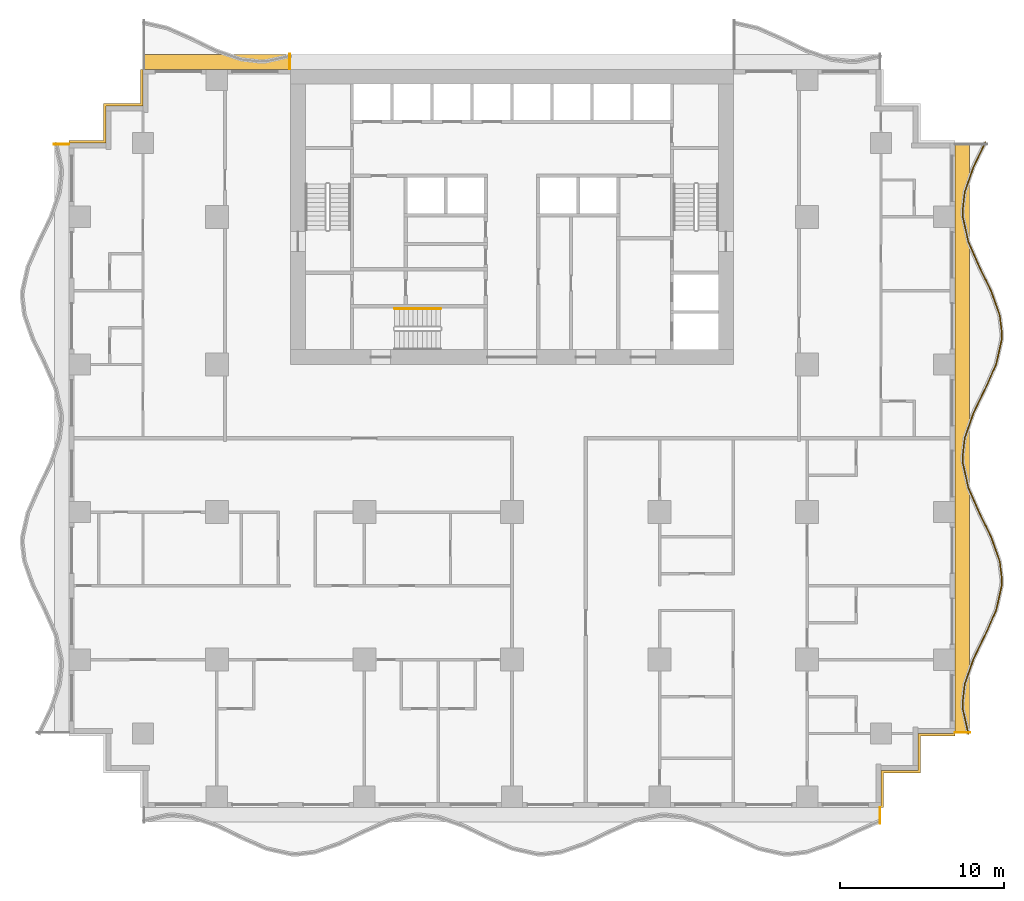
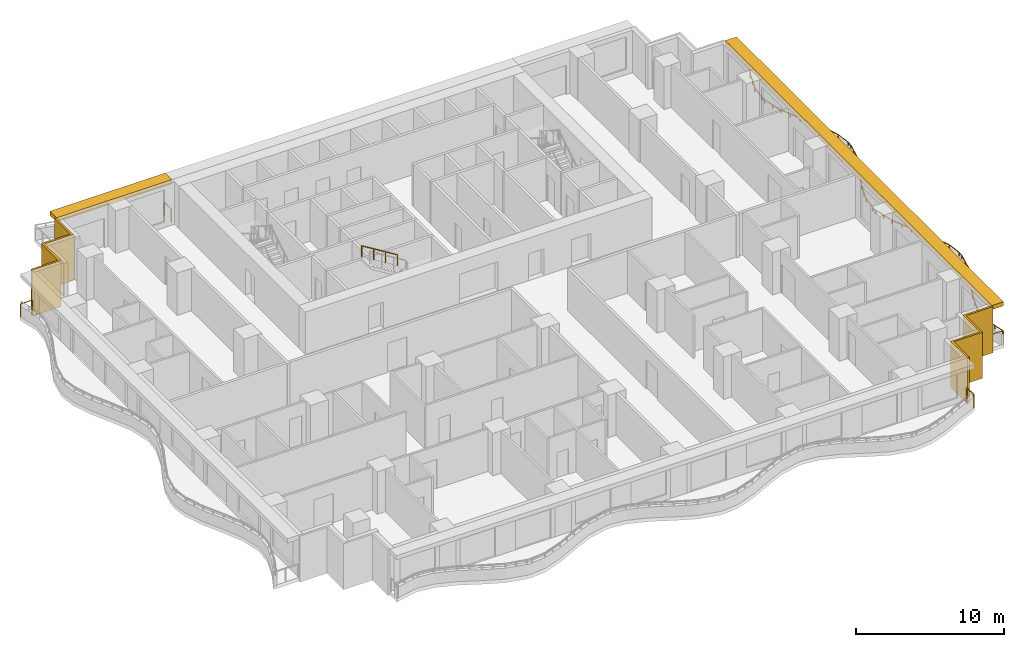
# One storey, part 10 of 13: 6 railings, 4 shading devices.
"""IFC4 building model written with IfcOpenShell, lengths in metres."""

from ifc_helpers import new_model, si_unit, direction, frame, origin, origin_2d, place, context, subcontext, project, spatial, polyline, rectangle, circle, outline, extrude, material, layer, layer_set, type_object, element, save


model = new_model("IFC4")

# Units and contexts
model_context = context("Model", 3, precision=1e-05, world=origin(), true_north=direction((0.0, 1.0)))
body_context = subcontext(model_context, "Body", "Model", "MODEL_VIEW")
ifc_project = project(units=[si_unit("LENGTHUNIT", "METRE"), si_unit("AREAUNIT", "SQUARE_METRE"), si_unit("VOLUMEUNIT", "CUBIC_METRE"), si_unit("PLANEANGLEUNIT", "RADIAN"), si_unit("MASSUNIT", "GRAM", prefix="KILO")], contexts=[model_context])

# Site, building, storey
site_placement = place(None, origin())
site = spatial("IfcSite", under=ifc_project, at=site_placement, CompositionType="ELEMENT")
building_placement = place(site_placement, origin())
building = spatial("IfcBuilding", under=site, at=building_placement, Name="Orbiselva Terraces", CompositionType="ELEMENT")
storey_placement = place(building_placement, frame((0.0, 0.0, 96.0)))
storey = spatial("IfcBuildingStorey", under=building, at=storey_placement, Name="L24", CompositionType="ELEMENT", Elevation=96.0)

# Railings
ifc_material_1 = material(Name="Stainless steel", Category="steel")
railing_type_1 = type_object("IfcRailingType", Name="CORE-HANDRAIL-900", PredefinedType="HANDRAIL", material=ifc_material_1)
railing_1_placement = place(storey_placement, frame((-4.35, 7.9, 2.072727)))
element("IfcRailing", 1, at=railing_1_placement, inside=storey, type_object=railing_type_1, Name="L24 S3 stair handrail 2", PredefinedType="HANDRAIL", context=body_context, shape_type="SweptSolid", body=[
    extrude(circle(Radius=0.024, at=origin_2d()), frame((0.0, 0.0, 0.876), z_axis=(-0.851088519012, 0.0, 0.52502222125), x_axis=(0.0, -1.0, 0.0)), (0.0, 0.0, 1.0), 3.289905),
    extrude(circle(Radius=0.021, at=origin_2d()), origin(), (0.0, 0.0, 1.0), 0.852),
    extrude(circle(Radius=0.021, at=origin_2d()), frame((-0.933333, 0.0, 0.575758)), (0.0, 0.0, 1.0), 0.852),
    extrude(circle(Radius=0.021, at=origin_2d()), frame((-1.866667, 0.0, 1.151515)), (0.0, 0.0, 1.0), 0.852),
    extrude(circle(Radius=0.021, at=origin_2d()), frame((-2.8, 0.0, 1.727273)), (0.0, 0.0, 1.0), 0.852),
])
ifc_material_2 = material(Name="Bonded two-ply safety glass balustrade, stainless steel posts", Category="steel")
railing_type_2 = type_object("IfcRailingType", Name="ENV-BALUSTRADE-1200", PredefinedType="BALUSTRADE", material=ifc_material_2)
railing_2_placement = place(storey_placement, frame((27.829507, -18.027377, 0.9)))
element("IfcRailing", 2, at=railing_2_placement, inside=storey, type_object=railing_type_2, Name="Balcony balustrade L24 E", PredefinedType="BALUSTRADE", context=body_context, shape_type="SweptSolid", body=[
    extrude(outline(polyline([(0.028868, 0.0), (0.014434, 0.025), (-0.014434, 0.025), (-0.028868, 0.0), (-0.014434, -0.025), (0.014434, -0.025), (0.028868, 0.0)])), frame((0.0, 0.0, 0.275), z_axis=(-0.219015484484, 0.97572138316, 0.0), x_axis=(-0.97572138316, -0.219015484484, 0.0)), (0.0, 0.0, 1.0), 1.548694),
    extrude(outline(polyline([(0.028868, 0.0), (0.014434, 0.025), (-0.014434, 0.025), (-0.028868, 0.0), (-0.014434, -0.025), (0.014434, -0.025), (0.028868, 0.0)])), frame((-0.339188, 1.511094, 0.275), z_axis=(-0.03936915532, 0.999224734286, 0.0), x_axis=(-0.999224734286, -0.03936915532, 0.0)), (0.0, 0.0, 1.0), 0.396376),
    extrude(outline(polyline([(0.028868, 0.0), (0.014434, 0.025), (-0.014434, 0.025), (-0.028868, 0.0), (-0.014434, -0.025), (0.014434, -0.025), (0.028868, 0.0)])), frame((-0.354793, 1.907163, 0.275), z_axis=(0.115482182324, 0.993309551734, 0.0), x_axis=(-0.993309551734, 0.115482182324, 0.0)), (0.0, 0.0, 1.0), 1.156135),
    extrude(outline(polyline([(0.028868, 0.0), (0.014434, 0.025), (-0.014434, 0.025), (-0.028868, 0.0), (-0.014434, -0.025), (0.014434, -0.025), (0.028868, 0.0)])), frame((-0.22128, 3.055563, 0.275), z_axis=(0.330024597479, 0.943972332783, 0.0), x_axis=(-0.943972332783, 0.330024597479, 0.0)), (0.0, 0.0, 1.0), 1.610253),
    extrude(outline(polyline([(0.028868, 0.0), (0.014434, 0.025), (-0.014434, 0.025), (-0.028868, 0.0), (-0.014434, -0.025), (0.014434, -0.025), (0.028868, 0.0)])), frame((0.310143, 4.575597, 0.275), z_axis=(0.438812048596, 0.898578870221, 0.0), x_axis=(-0.898578870221, 0.438812048596, 0.0)), (0.0, 0.0, 1.0), 1.674225),
    extrude(outline(polyline([(0.028868, 0.0), (0.014434, 0.025), (-0.014434, 0.025), (-0.028868, 0.0), (-0.014434, -0.025), (0.014434, -0.025), (0.028868, 0.0)])), frame((1.044813, 6.08002, 0.275), z_axis=(0.403151245402, 0.915133363686, 0.0), x_axis=(-0.915133363686, 0.403151245402, 0.0)), (0.0, 0.0, 1.0), 1.624475),
    extrude(outline(polyline([(0.028868, 0.0), (0.014434, 0.025), (-0.014434, 0.025), (-0.028868, 0.0), (-0.014434, -0.025), (0.014434, -0.025), (0.028868, 0.0)])), frame((1.699722, 7.566631, 0.275), z_axis=(0.219015740235, 0.975721325753, 0.0), x_axis=(-0.975721325753, 0.219015740235, 0.0)), (0.0, 0.0, 1.0), 1.513782),
    extrude(outline(polyline([(0.028868, 0.0), (0.014434, 0.025), (-0.014434, 0.025), (-0.028868, 0.0), (-0.014434, -0.025), (0.014434, -0.025), (0.028868, 0.0)])), frame((2.031264, 9.04366, 0.275), z_axis=(0.039364150694, 0.999224931454, 0.0), x_axis=(-0.999224931454, 0.039364150694, 0.0)), (0.0, 0.0, 1.0), 0.354206),
    extrude(outline(polyline([(0.028868, 0.0), (0.014434, 0.025), (-0.014434, 0.025), (-0.028868, 0.0), (-0.014434, -0.025), (0.014434, -0.025), (0.028868, 0.0)])), frame((2.045207, 9.397591, 0.275), z_axis=(-0.115481264762, 0.993309658409, 0.0), x_axis=(-0.993309658409, -0.115481264762, 0.0)), (0.0, 0.0, 1.0), 1.10902),
    extrude(outline(polyline([(0.028868, 0.0), (0.014434, 0.025), (-0.014434, 0.025), (-0.028868, 0.0), (-0.014434, -0.025), (0.014434, -0.025), (0.028868, 0.0)])), frame((1.917136, 10.499191, 0.275), z_axis=(-0.330024754707, 0.943972277814, 0.0), x_axis=(-0.943972277814, -0.330024754707, 0.0)), (0.0, 0.0, 1.0), 1.567807),
    extrude(outline(polyline([(0.028868, 0.0), (0.014434, 0.025), (-0.014434, 0.025), (-0.028868, 0.0), (-0.014434, -0.025), (0.014434, -0.025), (0.028868, 0.0)])), frame((1.399721, 11.979157, 0.275), z_axis=(-0.438811978768, 0.89857890432, 0.0), x_axis=(-0.89857890432, -0.438811978768, 0.0)), (0.0, 0.0, 1.0), 1.66438),
    extrude(outline(polyline([(0.028868, 0.0), (0.014434, 0.025), (-0.014434, 0.025), (-0.028868, 0.0), (-0.014434, -0.025), (0.014434, -0.025), (0.028868, 0.0)])), frame((0.669371, 13.474734, 0.275), z_axis=(-0.403150874148, 0.915133527237, 0.0), x_axis=(-0.915133527237, -0.403150874148, 0.0)), (0.0, 0.0, 1.0), 1.653736),
    extrude(outline(polyline([(0.028868, 0.0), (0.014434, 0.025), (-0.014434, 0.025), (-0.028868, 0.0), (-0.014434, -0.025), (0.014434, -0.025), (0.028868, 0.0)])), frame((0.002666, 14.988123, 0.275), z_axis=(-0.219015500924, 0.97572137947, 0.0), x_axis=(-0.97572137947, -0.219015500924, 0.0)), (0.0, 0.0, 1.0), 1.560867),
    extrude(outline(polyline([(0.028868, 0.0), (0.014434, 0.025), (-0.014434, 0.025), (-0.028868, 0.0), (-0.014434, -0.025), (0.014434, -0.025), (0.028868, 0.0)])), frame((-0.339188, 16.511094, 0.275), z_axis=(-0.03936915532, 0.999224734286, 0.0), x_axis=(-0.999224734286, -0.03936915532, 0.0)), (0.0, 0.0, 1.0), 0.396376),
    extrude(outline(polyline([(0.028868, 0.0), (0.014434, 0.025), (-0.014434, 0.025), (-0.028868, 0.0), (-0.014434, -0.025), (0.014434, -0.025), (0.028868, 0.0)])), frame((-0.354793, 16.907163, 0.275), z_axis=(0.115482182324, 0.993309551734, 0.0), x_axis=(-0.993309551734, 0.115482182324, 0.0)), (0.0, 0.0, 1.0), 1.156135),
    extrude(outline(polyline([(0.028868, 0.0), (0.014434, 0.025), (-0.014434, 0.025), (-0.028868, 0.0), (-0.014434, -0.025), (0.014434, -0.025), (0.028868, 0.0)])), frame((-0.22128, 18.055563, 0.275), z_axis=(0.330024597479, 0.943972332783, 0.0), x_axis=(-0.943972332783, 0.330024597479, 0.0)), (0.0, 0.0, 1.0), 1.610253),
    extrude(outline(polyline([(0.028868, 0.0), (0.014434, 0.025), (-0.014434, 0.025), (-0.028868, 0.0), (-0.014434, -0.025), (0.014434, -0.025), (0.028868, 0.0)])), frame((0.310143, 19.575597, 0.275), z_axis=(0.438812048596, 0.898578870221, 0.0), x_axis=(-0.898578870221, 0.438812048596, 0.0)), (0.0, 0.0, 1.0), 1.674225),
    extrude(outline(polyline([(0.028868, 0.0), (0.014434, 0.025), (-0.014434, 0.025), (-0.028868, 0.0), (-0.014434, -0.025), (0.014434, -0.025), (0.028868, 0.0)])), frame((1.044813, 21.08002, 0.275), z_axis=(0.403151245402, 0.915133363686, 0.0), x_axis=(-0.915133363686, 0.403151245402, 0.0)), (0.0, 0.0, 1.0), 1.624475),
    extrude(outline(polyline([(0.028868, 0.0), (0.014434, 0.025), (-0.014434, 0.025), (-0.028868, 0.0), (-0.014434, -0.025), (0.014434, -0.025), (0.028868, 0.0)])), frame((1.699722, 22.566631, 0.275), z_axis=(0.219015740235, 0.975721325753, 0.0), x_axis=(-0.975721325753, 0.219015740235, 0.0)), (0.0, 0.0, 1.0), 1.513782),
    extrude(outline(polyline([(0.028868, 0.0), (0.014434, 0.025), (-0.014434, 0.025), (-0.028868, 0.0), (-0.014434, -0.025), (0.014434, -0.025), (0.028868, 0.0)])), frame((2.031264, 24.04366, 0.275), z_axis=(0.039364150694, 0.999224931454, 0.0), x_axis=(-0.999224931454, 0.039364150694, 0.0)), (0.0, 0.0, 1.0), 0.354206),
    extrude(outline(polyline([(0.028868, 0.0), (0.014434, 0.025), (-0.014434, 0.025), (-0.028868, 0.0), (-0.014434, -0.025), (0.014434, -0.025), (0.028868, 0.0)])), frame((2.045207, 24.397591, 0.275), z_axis=(-0.115481264762, 0.993309658409, 0.0), x_axis=(-0.993309658409, -0.115481264762, 0.0)), (0.0, 0.0, 1.0), 1.10902),
    extrude(outline(polyline([(0.028868, 0.0), (0.014434, 0.025), (-0.014434, 0.025), (-0.028868, 0.0), (-0.014434, -0.025), (0.014434, -0.025), (0.028868, 0.0)])), frame((1.917136, 25.499191, 0.275), z_axis=(-0.330024754707, 0.943972277814, 0.0), x_axis=(-0.943972277814, -0.330024754707, 0.0)), (0.0, 0.0, 1.0), 1.567807),
    extrude(outline(polyline([(0.028868, 0.0), (0.014434, 0.025), (-0.014434, 0.025), (-0.028868, 0.0), (-0.014434, -0.025), (0.014434, -0.025), (0.028868, 0.0)])), frame((1.399721, 26.979157, 0.275), z_axis=(-0.438811978768, 0.89857890432, 0.0), x_axis=(-0.89857890432, -0.438811978768, 0.0)), (0.0, 0.0, 1.0), 1.66438),
    extrude(outline(polyline([(0.028868, 0.0), (0.014434, 0.025), (-0.014434, 0.025), (-0.028868, 0.0), (-0.014434, -0.025), (0.014434, -0.025), (0.028868, 0.0)])), frame((0.669371, 28.474734, 0.275), z_axis=(-0.403150874148, 0.915133527237, 0.0), x_axis=(-0.915133527237, -0.403150874148, 0.0)), (0.0, 0.0, 1.0), 1.653736),
    extrude(outline(polyline([(0.028868, 0.0), (0.014434, 0.025), (-0.014434, 0.025), (-0.028868, 0.0), (-0.014434, -0.025), (0.014434, -0.025), (0.028868, 0.0)])), frame((0.002666, 29.988123, 0.275), z_axis=(-0.219015500924, 0.97572137947, 0.0), x_axis=(-0.97572137947, -0.219015500924, 0.0)), (0.0, 0.0, 1.0), 1.560867),
    extrude(outline(polyline([(0.028868, 0.0), (0.014434, 0.025), (-0.014434, 0.025), (-0.028868, 0.0), (-0.014434, -0.025), (0.014434, -0.025), (0.028868, 0.0)])), frame((-0.339188, 31.511094, 0.275), z_axis=(-0.03936915532, 0.999224734286, 0.0), x_axis=(-0.999224734286, -0.03936915532, 0.0)), (0.0, 0.0, 1.0), 0.396376),
    extrude(outline(polyline([(0.028868, 0.0), (0.014434, 0.025), (-0.014434, 0.025), (-0.028868, 0.0), (-0.014434, -0.025), (0.014434, -0.025), (0.028868, 0.0)])), frame((-0.354793, 31.907163, 0.275), z_axis=(0.115482182324, 0.993309551734, 0.0), x_axis=(-0.993309551734, 0.115482182324, 0.0)), (0.0, 0.0, 1.0), 1.156135),
    extrude(outline(polyline([(0.028868, 0.0), (0.014434, 0.025), (-0.014434, 0.025), (-0.028868, 0.0), (-0.014434, -0.025), (0.014434, -0.025), (0.028868, 0.0)])), frame((-0.22128, 33.055563, 0.275), z_axis=(0.330024597479, 0.943972332783, 0.0), x_axis=(-0.943972332783, 0.330024597479, 0.0)), (0.0, 0.0, 1.0), 1.610253),
    extrude(outline(polyline([(0.028868, 0.0), (0.014434, 0.025), (-0.014434, 0.025), (-0.028868, 0.0), (-0.014434, -0.025), (0.014434, -0.025), (0.028868, 0.0)])), frame((0.310143, 34.575597, 0.275), z_axis=(0.43881217228, 0.898578809821, 0.0), x_axis=(-0.898578809821, 0.43881217228, 0.0)), (0.0, 0.0, 1.0), 1.676683),
    extrude(rectangle(XDim=0.05, YDim=0.05, at=origin_2d()), origin(), (0.0, 0.0, 1.0), 0.25),
    extrude(rectangle(XDim=0.05, YDim=0.05, at=origin_2d()), frame((-0.169594, 0.755547, 0.0)), (0.0, 0.0, 1.0), 0.25),
    extrude(rectangle(XDim=0.05, YDim=0.05, at=origin_2d()), frame((-0.339188, 1.511094, 0.0)), (0.0, 0.0, 1.0), 0.25),
    extrude(rectangle(XDim=0.05, YDim=0.05, at=origin_2d()), frame((-0.354793, 1.907163, 0.0)), (0.0, 0.0, 1.0), 0.25),
    extrude(rectangle(XDim=0.05, YDim=0.05, at=origin_2d()), frame((-0.22128, 3.055563, 0.0)), (0.0, 0.0, 1.0), 0.25),
    extrude(rectangle(XDim=0.05, YDim=0.05, at=origin_2d()), frame((0.044431, 3.81558, 0.0)), (0.0, 0.0, 1.0), 0.25),
    extrude(rectangle(XDim=0.05, YDim=0.05, at=origin_2d()), frame((0.310143, 4.575597, 0.0)), (0.0, 0.0, 1.0), 0.25),
    extrude(rectangle(XDim=0.05, YDim=0.05, at=origin_2d()), frame((0.677478, 5.327809, 0.0)), (0.0, 0.0, 1.0), 0.25),
    extrude(rectangle(XDim=0.05, YDim=0.05, at=origin_2d()), frame((1.044813, 6.08002, 0.0)), (0.0, 0.0, 1.0), 0.25),
    extrude(rectangle(XDim=0.05, YDim=0.05, at=origin_2d()), frame((1.372268, 6.823326, 0.0)), (0.0, 0.0, 1.0), 0.25),
    extrude(rectangle(XDim=0.05, YDim=0.05, at=origin_2d()), frame((1.699722, 7.566631, 0.0)), (0.0, 0.0, 1.0), 0.25),
    extrude(rectangle(XDim=0.05, YDim=0.05, at=origin_2d()), frame((1.865493, 8.305146, 0.0)), (0.0, 0.0, 1.0), 0.25),
    extrude(rectangle(XDim=0.05, YDim=0.05, at=origin_2d()), frame((2.031264, 9.04366, 0.0)), (0.0, 0.0, 1.0), 0.25),
    extrude(rectangle(XDim=0.05, YDim=0.05, at=origin_2d()), frame((2.045207, 9.397591, 0.0)), (0.0, 0.0, 1.0), 0.25),
    extrude(rectangle(XDim=0.05, YDim=0.05, at=origin_2d()), frame((1.917136, 10.499191, 0.0)), (0.0, 0.0, 1.0), 0.25),
    extrude(rectangle(XDim=0.05, YDim=0.05, at=origin_2d()), frame((1.658428, 11.239174, 0.0)), (0.0, 0.0, 1.0), 0.25),
    extrude(rectangle(XDim=0.05, YDim=0.05, at=origin_2d()), frame((1.399721, 11.979157, 0.0)), (0.0, 0.0, 1.0), 0.25),
    extrude(rectangle(XDim=0.05, YDim=0.05, at=origin_2d()), frame((1.034546, 12.726946, 0.0)), (0.0, 0.0, 1.0), 0.25),
    extrude(rectangle(XDim=0.05, YDim=0.05, at=origin_2d()), frame((0.669371, 13.474734, 0.0)), (0.0, 0.0, 1.0), 0.25),
    extrude(rectangle(XDim=0.05, YDim=0.05, at=origin_2d()), frame((0.336019, 14.231429, 0.0)), (0.0, 0.0, 1.0), 0.25),
    extrude(rectangle(XDim=0.05, YDim=0.05, at=origin_2d()), frame((0.002666, 14.988123, 0.0)), (0.0, 0.0, 1.0), 0.25),
    extrude(rectangle(XDim=0.05, YDim=0.05, at=origin_2d()), frame((-0.168261, 15.749608, 0.0)), (0.0, 0.0, 1.0), 0.25),
    extrude(rectangle(XDim=0.05, YDim=0.05, at=origin_2d()), frame((-0.339188, 16.511094, 0.0)), (0.0, 0.0, 1.0), 0.25),
    extrude(rectangle(XDim=0.05, YDim=0.05, at=origin_2d()), frame((-0.354793, 16.907163, 0.0)), (0.0, 0.0, 1.0), 0.25),
    extrude(rectangle(XDim=0.05, YDim=0.05, at=origin_2d()), frame((-0.22128, 18.055563, 0.0)), (0.0, 0.0, 1.0), 0.25),
    extrude(rectangle(XDim=0.05, YDim=0.05, at=origin_2d()), frame((0.044431, 18.81558, 0.0)), (0.0, 0.0, 1.0), 0.25),
    extrude(rectangle(XDim=0.05, YDim=0.05, at=origin_2d()), frame((0.310143, 19.575597, 0.0)), (0.0, 0.0, 1.0), 0.25),
    extrude(rectangle(XDim=0.05, YDim=0.05, at=origin_2d()), frame((0.677478, 20.327809, 0.0)), (0.0, 0.0, 1.0), 0.25),
    extrude(rectangle(XDim=0.05, YDim=0.05, at=origin_2d()), frame((1.044813, 21.08002, 0.0)), (0.0, 0.0, 1.0), 0.25),
    extrude(rectangle(XDim=0.05, YDim=0.05, at=origin_2d()), frame((1.372268, 21.823326, 0.0)), (0.0, 0.0, 1.0), 0.25),
    extrude(rectangle(XDim=0.05, YDim=0.05, at=origin_2d()), frame((1.699722, 22.566631, 0.0)), (0.0, 0.0, 1.0), 0.25),
    extrude(rectangle(XDim=0.05, YDim=0.05, at=origin_2d()), frame((1.865493, 23.305146, 0.0)), (0.0, 0.0, 1.0), 0.25),
    extrude(rectangle(XDim=0.05, YDim=0.05, at=origin_2d()), frame((2.031264, 24.04366, 0.0)), (0.0, 0.0, 1.0), 0.25),
    extrude(rectangle(XDim=0.05, YDim=0.05, at=origin_2d()), frame((2.045207, 24.397591, 0.0)), (0.0, 0.0, 1.0), 0.25),
    extrude(rectangle(XDim=0.05, YDim=0.05, at=origin_2d()), frame((1.917136, 25.499191, 0.0)), (0.0, 0.0, 1.0), 0.25),
    extrude(rectangle(XDim=0.05, YDim=0.05, at=origin_2d()), frame((1.658428, 26.239174, 0.0)), (0.0, 0.0, 1.0), 0.25),
    extrude(rectangle(XDim=0.05, YDim=0.05, at=origin_2d()), frame((1.399721, 26.979157, 0.0)), (0.0, 0.0, 1.0), 0.25),
    extrude(rectangle(XDim=0.05, YDim=0.05, at=origin_2d()), frame((1.034546, 27.726946, 0.0)), (0.0, 0.0, 1.0), 0.25),
    extrude(rectangle(XDim=0.05, YDim=0.05, at=origin_2d()), frame((0.669371, 28.474734, 0.0)), (0.0, 0.0, 1.0), 0.25),
    extrude(rectangle(XDim=0.05, YDim=0.05, at=origin_2d()), frame((0.336019, 29.231428, 0.0)), (0.0, 0.0, 1.0), 0.25),
    extrude(rectangle(XDim=0.05, YDim=0.05, at=origin_2d()), frame((0.002666, 29.988123, 0.0)), (0.0, 0.0, 1.0), 0.25),
    extrude(rectangle(XDim=0.05, YDim=0.05, at=origin_2d()), frame((-0.168261, 30.749608, 0.0)), (0.0, 0.0, 1.0), 0.25),
    extrude(rectangle(XDim=0.05, YDim=0.05, at=origin_2d()), frame((-0.339188, 31.511094, 0.0)), (0.0, 0.0, 1.0), 0.25),
    extrude(rectangle(XDim=0.05, YDim=0.05, at=origin_2d()), frame((-0.354793, 31.907163, 0.0)), (0.0, 0.0, 1.0), 0.25),
    extrude(rectangle(XDim=0.05, YDim=0.05, at=origin_2d()), frame((-0.22128, 33.055563, 0.0)), (0.0, 0.0, 1.0), 0.25),
    extrude(rectangle(XDim=0.05, YDim=0.05, at=origin_2d()), frame((0.044431, 33.81558, 0.0)), (0.0, 0.0, 1.0), 0.25),
    extrude(rectangle(XDim=0.05, YDim=0.05, at=origin_2d()), frame((0.310143, 34.575597, 0.0)), (0.0, 0.0, 1.0), 0.25),
    extrude(rectangle(XDim=0.05, YDim=0.05, at=origin_2d()), frame((0.678018, 35.328913, 0.0)), (0.0, 0.0, 1.0), 0.25),
    extrude(rectangle(XDim=0.05, YDim=0.05, at=origin_2d()), frame((1.045892, 36.082229, 0.0)), (0.0, 0.0, 1.0), 0.25),
])
ifc_material_3 = material(Name="Stainless steel rail and posts", Category="steel")
railing_type_3 = type_object("IfcRailingType", Name="ENV-GUARD-1105", PredefinedType="BALUSTRADE", material=ifc_material_3)
railing_3_placement = place(storey_placement, frame((22.44, -23.473063, 0.0)))
element("IfcRailing", 3, at=railing_3_placement, inside=storey, type_object=railing_type_3, Name="Balcony end guard L24 S", PredefinedType="BALUSTRADE", context=body_context, shape_type="SweptSolid", body=[
    extrude(outline(polyline([(0.028868, 0.0), (0.014434, 0.025), (-0.014434, 0.025), (-0.028868, 0.0), (-0.014434, -0.025), (0.014434, -0.025), (0.028868, 0.0)])), frame((0.0, 0.0, 1.08), z_axis=(0.0, 1.0, 0.0), x_axis=(-1.0, 0.0, 0.0)), (0.0, 0.0, 1.0), 0.948063),
    extrude(rectangle(XDim=0.05, YDim=0.05, at=origin_2d()), origin(), (0.0, 0.0, 1.0), 1.055),
    extrude(rectangle(XDim=0.05, YDim=0.05, at=origin_2d()), frame((0.0, 0.948063, 0.0)), (0.0, 0.0, 1.0), 1.055),
])
railing_4_placement = place(storey_placement, frame((27.930416, -17.94, 0.0)))
element("IfcRailing", 4, at=railing_4_placement, inside=storey, type_object=railing_type_3, Name="Balcony end guard L24 E", PredefinedType="BALUSTRADE", context=body_context, shape_type="SweptSolid", body=[
    extrude(outline(polyline([(0.028868, 0.0), (0.014434, 0.025), (-0.014434, 0.025), (-0.028868, 0.0), (-0.014434, -0.025), (0.014434, -0.025), (0.028868, 0.0)])), frame((0.0, 0.0, 1.08), z_axis=(-1.0, 0.0, 0.0), x_axis=(0.0, -1.0, 0.0)), (0.0, 0.0, 1.0), 0.905416),
    extrude(rectangle(XDim=0.05, YDim=0.05, at=origin_2d()), origin(), (0.0, 0.0, 1.0), 1.055),
    extrude(rectangle(XDim=0.05, YDim=0.05, at=origin_2d()), frame((-0.905416, 0.0, 0.0)), (0.0, 0.0, 1.0), 1.055),
])
railing_5_placement = place(storey_placement, frame((-13.56, 23.430416, 0.0)))
element("IfcRailing", 5, at=railing_5_placement, inside=storey, type_object=railing_type_3, Name="Balcony end guard L24 NW", PredefinedType="BALUSTRADE", context=body_context, shape_type="SweptSolid", body=[
    extrude(outline(polyline([(0.028868, 0.0), (0.014434, 0.025), (-0.014434, 0.025), (-0.028868, 0.0), (-0.014434, -0.025), (0.014434, -0.025), (0.028868, 0.0)])), frame((0.0, 0.0, 1.08), z_axis=(0.0, -1.0, 0.0), x_axis=(1.0, 0.0, 0.0)), (0.0, 0.0, 1.0), 0.905416),
    extrude(rectangle(XDim=0.05, YDim=0.05, at=origin_2d()), origin(), (0.0, 0.0, 1.0), 1.055),
    extrude(rectangle(XDim=0.05, YDim=0.05, at=origin_2d()), frame((0.0, -0.905416, 0.0)), (0.0, 0.0, 1.0), 1.055),
])
railing_6_placement = place(storey_placement, frame((-27.930416, 17.94, 0.0)))
element("IfcRailing", 6, at=railing_6_placement, inside=storey, type_object=railing_type_3, Name="Balcony end guard L24 W", PredefinedType="BALUSTRADE", context=body_context, shape_type="SweptSolid", body=[
    extrude(outline(polyline([(0.028868, 0.0), (0.014434, 0.025), (-0.014434, 0.025), (-0.028868, 0.0), (-0.014434, -0.025), (0.014434, -0.025), (0.028868, 0.0)])), frame((0.0, 0.0, 1.08), z_axis=(1.0, 0.0, 0.0), x_axis=(0.0, 1.0, 0.0)), (0.0, 0.0, 1.0), 0.905416),
    extrude(rectangle(XDim=0.05, YDim=0.05, at=origin_2d()), origin(), (0.0, 0.0, 1.0), 1.055),
    extrude(rectangle(XDim=0.05, YDim=0.05, at=origin_2d()), frame((0.905416, 0.0, 0.0)), (0.0, 0.0, 1.0), 1.055),
])

# Shading devices
ifc_material_4 = material(Name="Terracotta louvre screen", Category="masonry")
ifc_layer_1 = layer(ifc_material_4, 0.15)
ifc_layer_set_1 = layer_set([ifc_layer_1], Name="Terracotta louvre screen")
shading_device_type_1 = type_object("IfcShadingDeviceType", Name="ENV-SCREEN-150", PredefinedType="USERDEFINED", material=ifc_layer_set_1)
shading_device_1_placement = place(storey_placement, frame((0.0, 0.0, -0.3)))
element("IfcShadingDevice", 7, at=shading_device_1_placement, inside=storey, type_object=shading_device_type_1, Name="Louvre screen L24 NW", ObjectType="SCREEN", PredefinedType="USERDEFINED", context=body_context, shape_type="SweptSolid", body=[
    extrude(outline(polyline([(-22.65, 22.5), (-22.65, 20.4), (-24.9, 20.4), (-24.9, 18.15), (-27.0, 18.15), (-27.0, 18.0), (-24.75, 18.0), (-24.75, 20.25), (-22.5, 20.25), (-22.5, 22.5), (-22.65, 22.5)])), origin(), (0.0, 0.0, 1.0), 3.8),
])
shading_device_2_placement = place(storey_placement, frame((0.0, 0.0, -0.3)))
element("IfcShadingDevice", 8, at=shading_device_2_placement, inside=storey, type_object=shading_device_type_1, Name="Louvre screen L24 SE", ObjectType="SCREEN", PredefinedType="USERDEFINED", context=body_context, shape_type="SweptSolid", body=[
    extrude(outline(polyline([(22.65, -22.5), (22.65, -20.4), (24.9, -20.4), (24.9, -18.15), (27.0, -18.15), (27.0, -18.0), (24.75, -18.0), (24.75, -20.25), (22.5, -20.25), (22.5, -22.5), (22.65, -22.5)])), origin(), (0.0, 0.0, 1.0), 3.8),
])
ifc_material_5 = material(Name="Terracotta baguette sunshade", Category="masonry")
ifc_layer_2 = layer(ifc_material_5, 0.35)
ifc_layer_set_2 = layer_set([ifc_layer_2], Name="Terracotta baguette sunshade")
shading_device_type_2 = type_object("IfcShadingDeviceType", Name="ENV-SUNSHADE-900x350", PredefinedType="USERDEFINED", material=ifc_layer_set_2)
shading_device_3_placement = place(storey_placement, frame((0.0, 0.0, 3.15)))
element("IfcShadingDevice", 9, at=shading_device_3_placement, inside=storey, type_object=shading_device_type_2, Name="Sunshade band L24 E", ObjectType="SUNSHADE", PredefinedType="USERDEFINED", context=body_context, shape_type="SweptSolid", body=[
    extrude(outline(polyline([(27.9, -18.0), (27.9, 18.0), (27.0, 18.0), (27.0, -18.0), (27.9, -18.0)])), origin(), (0.0, 0.0, 1.0), 0.35),
])
shading_device_4_placement = place(storey_placement, frame((0.0, 0.0, 3.15)))
element("IfcShadingDevice", 10, at=shading_device_4_placement, inside=storey, type_object=shading_device_type_2, Name="Sunshade band L24 NW", ObjectType="SUNSHADE", PredefinedType="USERDEFINED", context=body_context, shape_type="SweptSolid", body=[
    extrude(outline(polyline([(-13.5, 23.4), (-22.5, 23.4), (-22.5, 22.5), (-13.5, 22.5), (-13.5, 23.4)])), origin(), (0.0, 0.0, 1.0), 0.35),
])

save(model, "model.ifc")
